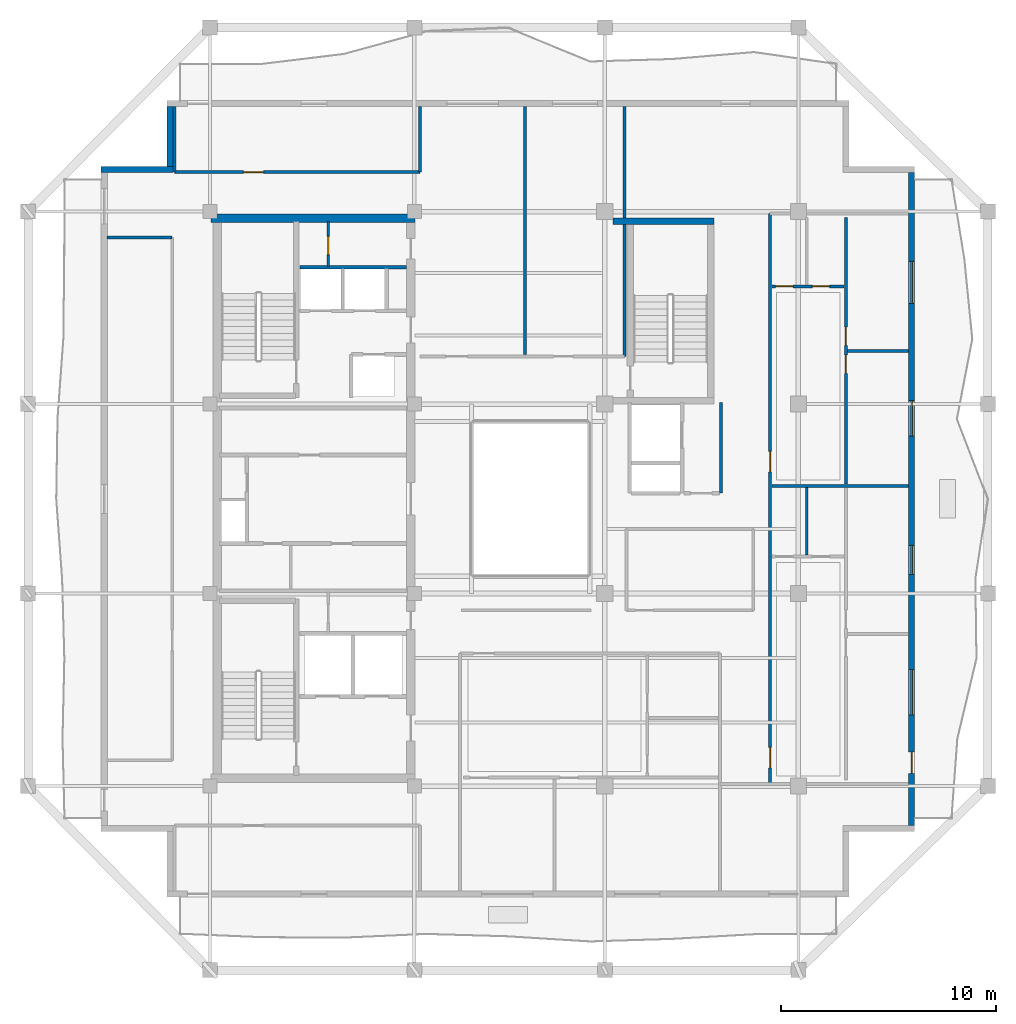
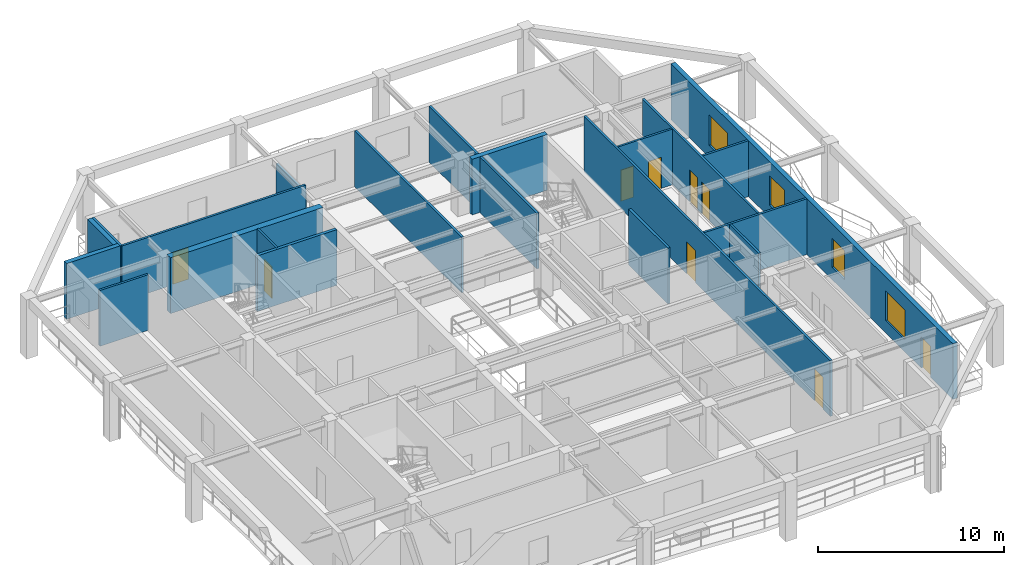
# One storey, part 5 of 10: 20 walls, 9 doors, 4 windows, 13 openings.
"""IFC4 building model written with IfcOpenShell, lengths in metres."""

from ifc_helpers import new_model, si_unit, direction, frame, frame_2d, origin, place, context, subcontext, project, spatial, rectangle, extrude, material, layer, layer_set, type_object, element, fill, save


model = new_model("IFC4")

# Units and contexts
model_context = context("Model", 3, precision=1e-05, world=origin(), true_north=direction((0.0, 1.0)))
body_context = subcontext(model_context, "Body", "Model", "MODEL_VIEW")
ifc_project = project(units=[si_unit("LENGTHUNIT", "METRE"), si_unit("AREAUNIT", "SQUARE_METRE"), si_unit("VOLUMEUNIT", "CUBIC_METRE"), si_unit("PLANEANGLEUNIT", "RADIAN"), si_unit("MASSUNIT", "GRAM", prefix="KILO")], contexts=[model_context])

# Site, building, storey
site_placement = place(None, origin())
site = spatial("IfcSite", under=ifc_project, at=site_placement, CompositionType="ELEMENT")
building_placement = place(site_placement, origin())
building = spatial("IfcBuilding", under=site, at=building_placement, Name="Kundavana Baori Tower", CompositionType="ELEMENT")
storey_placement = place(building_placement, frame((0.0, 0.0, 299.89990234375)))
storey = spatial("IfcBuildingStorey", under=building, at=storey_placement, Name="L74", CompositionType="ELEMENT", Elevation=299.89990234375)

# Wall
ifc_material_1 = material(Name="Concrete C50/60", Category="concrete")
ifc_layer_1 = layer(ifc_material_1, 0.39990234375, Name="WL-CORE-400")
ifc_layer_set_1 = layer_set([ifc_layer_1], Name="Concrete C50/60")
wall_type_1 = type_object("IfcWallType", Name="WL-CORE-400", PredefinedType="SHEAR", material=ifc_layer_set_1)
wall_1_placement = place(storey_placement, frame((15.5, 41.639892578125, 0.0), z_axis=(0.0, 0.0, 1.0), x_axis=(1.0, 0.0, 0.0)))
element("IfcWall", 1, at=wall_1_placement, inside=storey, type_object=wall_type_1, Name="L74 Offset Core North Shear Wall", PredefinedType="SHEAR", context=body_context, shape_type="SweptSolid", body=[
    extrude(rectangle(XDim=9.47998046875, YDim=0.39990234375, at=frame_2d((4.739990234375, 0.0))), origin(), (0.0, 0.0, 1.0), 3.66015625),
])

# Wall, openings, door, windows
ifc_material_2 = material(Name="Red-Buff Dholpur Sandstone Cladding on Concrete C40/50", Category="masonry")
ifc_layer_2 = layer(ifc_material_2, 0.280029296875, Name="WL-EXT-SAND-280")
ifc_layer_set_2 = layer_set([ifc_layer_2], Name="Red-Buff Dholpur Sandstone Cladding on Concrete C40/50")
wall_type_2 = type_object("IfcWallType", Name="WL-EXT-SAND-280", PredefinedType="STANDARD", material=ifc_layer_set_2)
wall_2_placement = place(storey_placement, frame((48.06005859375, 13.429931640625, 0.0), z_axis=(0.0, 0.0, 1.0), x_axis=(0.0, 1.0, 0.0)))
wall_2 = element("IfcWall", 2, at=wall_2_placement, inside=storey, type_object=wall_type_2, Name="L74 Exterior Insulated Facade Wall 04", PredefinedType="STANDARD", context=body_context, shape_type="SweptSolid", body=[
    extrude(rectangle(XDim=30.340087890625, YDim=0.280029296875, at=frame_2d((15.169921875, 0.0))), origin(), (0.0, 0.0, 1.0), 3.66015625),
])
opening_1_placement = place(wall_2_placement, frame((2.409912109375, 0.0, 0.0)))
opening_1 = element("IfcOpeningElement", 3, at=opening_1_placement, cuts=wall_2, Name="Opening BD-1", PredefinedType="OPENING", context=body_context, shape_type="SweptSolid", body=[
    extrude(rectangle(XDim=1.0, YDim=2.050048828125, at=frame_2d((0.5, 1.02490234375))), frame((0.0, 0.14990234375, 0.0), z_axis=(0.0, -1.0, 0.0), x_axis=(1.0, 0.0, 0.0)), (0.0, 0.0, 1.0), 0.300048828125),
])
opening_2_placement = place(wall_2_placement, frame((5.132080078125, 0.0, 0.800048828125)))
opening_2 = element("IfcOpeningElement", 4, at=opening_2_placement, cuts=wall_2, Name="Opening W-05", PredefinedType="OPENING", context=body_context, shape_type="SweptSolid", body=[
    extrude(rectangle(XDim=2.10009765625, YDim=1.949951171875, at=frame_2d((1.050048828125, 0.97509765625))), frame((0.0, 0.14990234375, 0.0), z_axis=(0.0, -1.0, 0.0), x_axis=(1.0, 0.0, 0.0)), (0.0, 0.0, 1.0), 0.300048828125),
])
opening_3_placement = place(wall_2_placement, frame((11.656982421875, 0.0, 0.800048828125)))
opening_3 = element("IfcOpeningElement", 5, at=opening_3_placement, cuts=wall_2, Name="Opening W-07", PredefinedType="OPENING", context=body_context, shape_type="SweptSolid", body=[
    extrude(rectangle(XDim=1.35009765625, YDim=1.89990234375, at=frame_2d((0.675048828125, 0.949951171875))), frame((0.0, 0.14990234375, 0.0), z_axis=(0.0, -1.0, 0.0), x_axis=(1.0, 0.0, 0.0)), (0.0, 0.0, 1.0), 0.300048828125),
])
opening_4_placement = place(wall_2_placement, frame((18.08203125, 0.0, 0.800048828125)))
opening_4 = element("IfcOpeningElement", 6, at=opening_4_placement, cuts=wall_2, Name="Opening W-08", PredefinedType="OPENING", context=body_context, shape_type="SweptSolid", body=[
    extrude(rectangle(XDim=1.64990234375, YDim=1.949951171875, at=frame_2d((0.824951171875, 0.97509765625))), frame((0.0, 0.14990234375, 0.0), z_axis=(0.0, -1.0, 0.0), x_axis=(1.0, 0.0, 0.0)), (0.0, 0.0, 1.0), 0.300048828125),
])
opening_5_placement = place(wall_2_placement, frame((24.257080078125, 0.0, 0.800048828125)))
opening_5 = element("IfcOpeningElement", 7, at=opening_5_placement, cuts=wall_2, Name="Opening W-09", PredefinedType="OPENING", context=body_context, shape_type="SweptSolid", body=[
    extrude(rectangle(XDim=1.949951171875, YDim=2.0, at=frame_2d((0.97509765625, 1.0))), frame((0.0, 0.14990234375, 0.0), z_axis=(0.0, -1.0, 0.0), x_axis=(1.0, 0.0, 0.0)), (0.0, 0.0, 1.0), 0.300048828125),
])
ifc_material_3 = material(Name="Architectural Patinated Bronze Metalwork")
door_type_1 = type_object("IfcDoorType", Name="DR-EXT-LOG-1000", OperationType="NOTDEFINED", PredefinedType="DOOR", material=ifc_material_3)
door_1_placement = place(opening_1_placement, frame((1.0, 0.0, 0.0), z_axis=(0.0, 0.0, 1.0), x_axis=(-1.0, 0.0, 0.0)))
door_1 = element("IfcDoor", 8, at=door_1_placement, inside=storey, type_object=door_type_1, Name="L74 Loggia Balcony Access Door E", OperationType="SINGLE_SWING_RIGHT", OverallHeight=2.050048828125, OverallWidth=1.0, PredefinedType="DOOR", context=body_context, shape_type="SweptSolid", body=[
    extrude(rectangle(XDim=1.0, YDim=2.050048828125, at=frame_2d((0.5, 1.02490234375))), frame((0.0, 0.02490234375, 0.0), z_axis=(0.0, -1.0, 0.0), x_axis=(1.0, 0.0, 0.0)), (0.0, 0.0, 1.0), 0.050048828125),
])
fill(opening_1, door_1)
ifc_material_4 = material(Name="Double-Glazed Solar-Control Low-E Insulated Glass", Category="glass")
window_type_1 = type_object("IfcWindowType", Name="WIN-LOG-1350x1900", PartitioningType="SINGLE_PANEL", PredefinedType="WINDOW", material=ifc_material_4)
window_1_placement = place(opening_3_placement, origin())
window_1 = element("IfcWindow", 9, at=window_1_placement, inside=storey, type_object=window_type_1, Name="L74 Recessed Loggia Window E-2", OverallHeight=1.89990234375, OverallWidth=1.35009765625, PartitioningType="SINGLE_PANEL", PredefinedType="WINDOW", context=body_context, shape_type="SweptSolid", body=[
    extrude(rectangle(XDim=1.35009765625, YDim=1.89990234375, at=frame_2d((0.675048828125, 0.949951171875))), frame((0.0, 0.030029296875, 0.0), z_axis=(0.0, -1.0, 0.0), x_axis=(1.0, 0.0, 0.0)), (0.0, 0.0, 1.0), 0.06005859375),
])
fill(opening_3, window_1)
ifc_material_5 = material(Name="Double-Glazed Solar-Control Low-E Insulated Glass", Category="glass")
window_type_2 = type_object("IfcWindowType", Name="WIN-LOG-1650x1950", PartitioningType="SINGLE_PANEL", PredefinedType="WINDOW", material=ifc_material_5)
window_2_placement = place(opening_4_placement, origin())
window_2 = element("IfcWindow", 10, at=window_2_placement, inside=storey, type_object=window_type_2, Name="L74 Recessed Loggia Window E-3", OverallHeight=1.949951171875, OverallWidth=1.64990234375, PartitioningType="SINGLE_PANEL", PredefinedType="WINDOW", context=body_context, shape_type="SweptSolid", body=[
    extrude(rectangle(XDim=1.64990234375, YDim=1.949951171875, at=frame_2d((0.824951171875, 0.97509765625))), frame((0.0, 0.030029296875, 0.0), z_axis=(0.0, -1.0, 0.0), x_axis=(1.0, 0.0, 0.0)), (0.0, 0.0, 1.0), 0.06005859375),
])
fill(opening_4, window_2)
ifc_material_6 = material(Name="Double-Glazed Solar-Control Low-E Insulated Glass", Category="glass")
window_type_3 = type_object("IfcWindowType", Name="WIN-LOG-1950x2000", PartitioningType="SINGLE_PANEL", PredefinedType="WINDOW", material=ifc_material_6)
window_3_placement = place(opening_5_placement, origin())
window_3 = element("IfcWindow", 11, at=window_3_placement, inside=storey, type_object=window_type_3, Name="L74 Recessed Loggia Window E-4", OverallHeight=2.0, OverallWidth=1.949951171875, PartitioningType="SINGLE_PANEL", PredefinedType="WINDOW", context=body_context, shape_type="SweptSolid", body=[
    extrude(rectangle(XDim=1.949951171875, YDim=2.0, at=frame_2d((0.97509765625, 1.0))), frame((0.0, 0.030029296875, 0.0), z_axis=(0.0, -1.0, 0.0), x_axis=(1.0, 0.0, 0.0)), (0.0, 0.0, 1.0), 0.06005859375),
])
fill(opening_5, window_3)
ifc_material_7 = material(Name="Double-Glazed Solar-Control Low-E Insulated Glass", Category="glass")
window_type_4 = type_object("IfcWindowType", Name="WIN-LOG-2100x1950", PartitioningType="SINGLE_PANEL", PredefinedType="WINDOW", material=ifc_material_7)
window_4_placement = place(opening_2_placement, origin())
window_4 = element("IfcWindow", 12, at=window_4_placement, inside=storey, type_object=window_type_4, Name="L74 Recessed Loggia Window E-1", OverallHeight=1.949951171875, OverallWidth=2.10009765625, PartitioningType="SINGLE_PANEL", PredefinedType="WINDOW", context=body_context, shape_type="SweptSolid", body=[
    extrude(rectangle(XDim=2.10009765625, YDim=1.949951171875, at=frame_2d((1.050048828125, 0.97509765625))), frame((0.0, 0.030029296875, 0.0), z_axis=(0.0, -1.0, 0.0), x_axis=(1.0, 0.0, 0.0)), (0.0, 0.0, 1.0), 0.06005859375),
])
fill(opening_2, window_4)

# Walls
wall_3_placement = place(storey_placement, frame((13.590087890625, 46.820068359375, 0.0), z_axis=(0.0, 0.0, 1.0), x_axis=(0.0, -1.0, 0.0)))
element("IfcWall", 13, at=wall_3_placement, inside=storey, type_object=wall_type_2, Name="L74 Exterior Insulated Facade Wall 08", PredefinedType="STANDARD", context=body_context, shape_type="SweptSolid", body=[
    extrude(rectangle(XDim=2.77001953125, YDim=0.280029296875, at=frame_2d((1.385009765625, 0.0))), origin(), (0.0, 0.0, 1.0), 3.66015625),
])
wall_4_placement = place(storey_placement, frame((13.72998046875, 43.909912109375, 0.0), z_axis=(0.0, 0.0, 1.0), x_axis=(-1.0, 0.0, 0.0)))
element("IfcWall", 14, at=wall_4_placement, inside=storey, type_object=wall_type_2, Name="L74 Exterior Insulated Facade Wall 09", PredefinedType="STANDARD", context=body_context, shape_type="SweptSolid", body=[
    extrude(rectangle(XDim=3.330078125, YDim=0.280029296875, at=frame_2d((1.6650390625, 0.0))), origin(), (0.0, 0.0, 1.0), 3.66015625),
])

# Wall, opening, door
ifc_material_8 = material(Name="Acoustic Gypsum Plasterboard on Galvanised Steel Studs", Category="steel")
ifc_layer_3 = layer(ifc_material_8, 0.1201171875, Name="WL-PART-120")
ifc_layer_set_3 = layer_set([ifc_layer_3], Name="Acoustic Gypsum Plasterboard on Galvanised Steel Studs")
wall_type_3 = type_object("IfcWallType", Name="WL-PART-120", PredefinedType="PARTITIONING", material=ifc_layer_set_3)
wall_5_placement = place(storey_placement, frame((20.949951171875, 39.39990234375, 0.0), z_axis=(0.0, 0.0, 1.0), x_axis=(0.0, 1.0, 0.0)))
wall_5 = element("IfcWall", 15, at=wall_5_placement, inside=storey, type_object=wall_type_3, Name="WL-L74-CSRV-D2", PredefinedType="PARTITIONING", context=body_context, shape_type="SweptSolid", body=[
    extrude(rectangle(XDim=2.080078125, YDim=0.1201171875, at=frame_2d((1.0400390625, 0.0))), origin(), (0.0, 0.0, 1.0), 3.66015625),
])
opening_6_placement = place(wall_5_placement, frame((0.550048828125, 0.0, 0.0)))
opening_6 = element("IfcOpeningElement", 16, at=opening_6_placement, cuts=wall_5, Name="Opening FD-085", PredefinedType="OPENING", context=body_context, shape_type="SweptSolid", body=[
    extrude(rectangle(XDim=0.85009765625, YDim=2.06005859375, at=frame_2d((0.425048828125, 1.030029296875))), frame((0.0, 0.070068359375, 0.0), z_axis=(0.0, -1.0, 0.0), x_axis=(1.0, 0.0, 0.0)), (0.0, 0.0, 1.0), 0.14013671875),
])
ifc_material_9 = material(Name="Galvanised Steel Fire-Rated Door Leaf", Category="steel")
door_type_2 = type_object("IfcDoorType", Name="DR-FD60-850", OperationType="NOTDEFINED", PredefinedType="DOOR", material=ifc_material_9)
door_2_placement = place(opening_6_placement, origin())
door_2 = element("IfcDoor", 17, at=door_2_placement, inside=storey, type_object=door_type_2, Name="DR-L74-CSRV1", OperationType="SINGLE_SWING_RIGHT", OverallHeight=2.06005859375, OverallWidth=0.85009765625, PredefinedType="DOOR", context=body_context, shape_type="SweptSolid", body=[
    extrude(rectangle(XDim=0.85009765625, YDim=2.06005859375, at=frame_2d((0.425048828125, 1.030029296875))), frame((0.0, 0.02490234375, 0.0), z_axis=(0.0, -1.0, 0.0), x_axis=(1.0, 0.0, 0.0)), (0.0, 0.0, 1.0), 0.050048828125),
])
fill(opening_6, door_2)

ifc_material_10 = material(Name="Acoustic Gypsum Plasterboard on Galvanised Steel Studs", Category="steel")
ifc_layer_4 = layer(ifc_material_10, 0.135009765625, Name="WL-PART-135")
ifc_layer_set_4 = layer_set([ifc_layer_4], Name="Acoustic Gypsum Plasterboard on Galvanised Steel Studs")
wall_type_4 = type_object("IfcWallType", Name="WL-PART-135", PredefinedType="PARTITIONING", material=ifc_layer_set_4)
wall_6_placement = place(storey_placement, frame((13.800048828125, 43.780029296875, 0.0), z_axis=(0.0, 0.0, 1.0), x_axis=(1.0, 0.0, 0.0)))
wall_6 = element("IfcWall", 18, at=wall_6_placement, inside=storey, type_object=wall_type_4, Name="WL-L74-RNC", PredefinedType="PARTITIONING", context=body_context, shape_type="SweptSolid", body=[
    extrude(rectangle(XDim=11.419921875, YDim=0.135009765625, at=frame_2d((5.7099609375, 0.0))), origin(), (0.0, 0.0, 1.0), 3.66015625),
])
opening_7_placement = place(wall_6_placement, frame((3.199951171875, 0.0, 0.0)))
opening_7 = element("IfcOpeningElement", 19, at=opening_7_placement, cuts=wall_6, Name="Opening ID-095", PredefinedType="OPENING", context=body_context, shape_type="SweptSolid", body=[
    extrude(rectangle(XDim=0.949951171875, YDim=2.080078125, at=frame_2d((0.47509765625, 1.0400390625))), frame((0.0, 0.07763671875, 0.0), z_axis=(0.0, -1.0, 0.0), x_axis=(1.0, 0.0, 0.0)), (0.0, 0.0, 1.0), 0.155029296875),
])
ifc_material_11 = material(Name="Engineered Teak Solid-Core Timber Veneer", Category="wood")
door_type_3 = type_object("IfcDoorType", Name="DR-INT-950", OperationType="NOTDEFINED", PredefinedType="DOOR", material=ifc_material_11)
door_3_placement = place(opening_7_placement, origin())
door_3 = element("IfcDoor", 20, at=door_3_placement, inside=storey, type_object=door_type_3, Name="DR-L74-RMNW", OperationType="SINGLE_SWING_RIGHT", OverallHeight=2.080078125, OverallWidth=0.949951171875, PredefinedType="DOOR", context=body_context, shape_type="SweptSolid", body=[
    extrude(rectangle(XDim=0.949951171875, YDim=2.080078125, at=frame_2d((0.47509765625, 1.0400390625))), frame((0.0, 0.02490234375, 0.0), z_axis=(0.0, -1.0, 0.0), x_axis=(1.0, 0.0, 0.0)), (0.0, 0.0, 1.0), 0.050048828125),
])
fill(opening_7, door_3)

# Walls
wall_7_placement = place(storey_placement, frame((13.800048828125, 43.780029296875, 0.0), z_axis=(0.0, 0.0, 1.0), x_axis=(0.0, 1.0, 0.0)))
element("IfcWall", 21, at=wall_7_placement, inside=storey, type_object=wall_type_4, Name="WL-L74-RNCW", PredefinedType="PARTITIONING", context=body_context, shape_type="SweptSolid", body=[
    extrude(rectangle(XDim=3.0400390625, YDim=0.135009765625, at=frame_2d((1.52001953125, 0.0))), origin(), (0.0, 0.0, 1.0), 3.66015625),
])
wall_8_placement = place(storey_placement, frame((25.219970703125, 43.780029296875, 0.0), z_axis=(0.0, 0.0, 1.0), x_axis=(0.0, 1.0, 0.0)))
element("IfcWall", 22, at=wall_8_placement, inside=storey, type_object=wall_type_4, Name="WL-L74-RNCE", PredefinedType="PARTITIONING", context=body_context, shape_type="SweptSolid", body=[
    extrude(rectangle(XDim=3.0400390625, YDim=0.135009765625, at=frame_2d((1.52001953125, 0.0))), origin(), (0.0, 0.0, 1.0), 3.210205078125),
])
wall_9_placement = place(storey_placement, frame((10.679931640625, 40.75, 0.0), z_axis=(0.0, 0.0, 1.0), x_axis=(1.0, 0.0, 0.0)))
element("IfcWall", 23, at=wall_9_placement, inside=storey, type_object=wall_type_4, Name="WL-L74-RWN", PredefinedType="PARTITIONING", context=body_context, shape_type="SweptSolid", body=[
    extrude(rectangle(XDim=3.02001953125, YDim=0.135009765625, at=frame_2d((1.510009765625, 0.0))), origin(), (0.0, 0.0, 1.0), 3.66015625),
])
wall_10_placement = place(storey_placement, frame((34.719970703125, 35.219970703125, 0.0), z_axis=(0.0, 0.0, 1.0), x_axis=(0.0, 1.0, 0.0)))
element("IfcWall", 24, at=wall_10_placement, inside=storey, type_object=wall_type_4, Name="WL-L74-RNEND", PredefinedType="PARTITIONING", context=body_context, shape_type="SweptSolid", body=[
    extrude(rectangle(XDim=11.60009765625, YDim=0.135009765625, at=frame_2d((5.800048828125, 0.0))), origin(), (0.0, 0.0, 1.0), 3.66015625),
])
wall_11_placement = place(storey_placement, frame((30.10009765625, 35.300048828125, 0.0), z_axis=(0.0, 0.0, 1.0), x_axis=(0.0, 1.0, 0.0)))
element("IfcWall", 25, at=wall_11_placement, inside=storey, type_object=wall_type_4, Name="WL-L74-RND1", PredefinedType="PARTITIONING", context=body_context, shape_type="SweptSolid", body=[
    extrude(rectangle(XDim=11.52001953125, YDim=0.135009765625, at=frame_2d((5.760009765625, 0.0))), origin(), (0.0, 0.0, 1.0), 3.66015625),
])

# Wall, openings, doors
wall_12_placement = place(storey_placement, frame((41.47998046875, 15.35009765625, 0.0), z_axis=(0.0, 0.0, 1.0), x_axis=(0.0, 1.0, 0.0)))
wall_12 = element("IfcWall", 26, at=wall_12_placement, inside=storey, type_object=wall_type_4, Name="WL-L74-RE", PredefinedType="PARTITIONING", context=body_context, shape_type="SweptSolid", body=[
    extrude(rectangle(XDim=26.5, YDim=0.135009765625, at=frame_2d((13.25, 0.0))), origin(), (0.0, 0.0, 1.0), 3.66015625),
])
opening_8_placement = place(wall_12_placement, frame((0.75, 0.0, 0.0)))
opening_8 = element("IfcOpeningElement", 27, at=opening_8_placement, cuts=wall_12, Name="Opening FD-095", PredefinedType="OPENING", context=body_context, shape_type="SweptSolid", body=[
    extrude(rectangle(XDim=0.949951171875, YDim=2.10009765625, at=frame_2d((0.47509765625, 1.050048828125))), frame((0.0, 0.07763671875, 0.0), z_axis=(0.0, -1.0, 0.0), x_axis=(1.0, 0.0, 0.0)), (0.0, 0.0, 1.0), 0.155029296875),
])
opening_9_placement = place(wall_12_placement, frame((14.5, 0.0, 0.0)))
opening_9 = element("IfcOpeningElement", 28, at=opening_9_placement, cuts=wall_12, Name="Opening FD-095", PredefinedType="OPENING", context=body_context, shape_type="SweptSolid", body=[
    extrude(rectangle(XDim=0.949951171875, YDim=2.10009765625, at=frame_2d((0.47509765625, 1.050048828125))), frame((0.0, 0.07763671875, 0.0), z_axis=(0.0, -1.0, 0.0), x_axis=(1.0, 0.0, 0.0)), (0.0, 0.0, 1.0), 0.155029296875),
])
ifc_material_12 = material(Name="Engineered Teak Fire-Rated Timber Door Leaf", Category="wood")
door_type_4 = type_object("IfcDoorType", Name="DR-FD60-950", OperationType="NOTDEFINED", PredefinedType="DOOR", material=ifc_material_12)
door_4_placement = place(opening_8_placement, origin())
door_4 = element("IfcDoor", 29, at=door_4_placement, inside=storey, type_object=door_type_4, Name="DR-L74-E1-ENT", OperationType="SINGLE_SWING_LEFT", OverallHeight=2.10009765625, OverallWidth=0.949951171875, PredefinedType="DOOR", context=body_context, shape_type="SweptSolid", body=[
    extrude(rectangle(XDim=0.949951171875, YDim=2.10009765625, at=frame_2d((0.47509765625, 1.050048828125))), frame((0.0, 0.02490234375, 0.0), z_axis=(0.0, -1.0, 0.0), x_axis=(1.0, 0.0, 0.0)), (0.0, 0.0, 1.0), 0.050048828125),
])
fill(opening_8, door_4)
door_5_placement = place(opening_9_placement, origin())
door_5 = element("IfcDoor", 30, at=door_5_placement, inside=storey, type_object=door_type_4, Name="DR-L74-E2-ENT", OperationType="SINGLE_SWING_LEFT", OverallHeight=2.10009765625, OverallWidth=0.949951171875, PredefinedType="DOOR", context=body_context, shape_type="SweptSolid", body=[
    extrude(rectangle(XDim=0.949951171875, YDim=2.10009765625, at=frame_2d((0.47509765625, 1.050048828125))), frame((0.0, 0.02490234375, 0.0), z_axis=(0.0, -1.0, 0.0), x_axis=(1.0, 0.0, 0.0)), (0.0, 0.0, 1.0), 0.050048828125),
])
fill(opening_9, door_5)

# Wall
wall_13_placement = place(storey_placement, frame((41.56005859375, 29.199951171875, 0.0), z_axis=(0.0, 0.0, 1.0), x_axis=(1.0, 0.0, 0.0)))
element("IfcWall", 31, at=wall_13_placement, inside=storey, type_object=wall_type_4, Name="WL-L74-RED1", PredefinedType="PARTITIONING", context=body_context, shape_type="SweptSolid", body=[
    extrude(rectangle(XDim=6.35986328125, YDim=0.135009765625, at=frame_2d((3.179931640625, 0.0))), origin(), (0.0, 0.0, 1.0), 3.66015625),
])

# Wall, openings, doors
wall_14_placement = place(storey_placement, frame((45.00390625, 29.280029296875, 0.0), z_axis=(0.0, 0.0, 1.0), x_axis=(0.0, 1.0, 0.0)))
wall_14 = element("IfcWall", 32, at=wall_14_placement, inside=storey, type_object=wall_type_4, Name="WL-L74-E2-VT", PredefinedType="PARTITIONING", context=body_context, shape_type="SweptSolid", body=[
    extrude(rectangle(XDim=12.389892578125, YDim=0.135009765625, at=frame_2d((6.19482421875, 0.0))), origin(), (0.0, 0.0, 1.0), 3.66015625),
])
opening_10_placement = place(wall_14_placement, frame((5.14501953125, 0.0, 0.0)))
opening_10 = element("IfcOpeningElement", 33, at=opening_10_placement, cuts=wall_14, Name="Opening ID-085", PredefinedType="OPENING", context=body_context, shape_type="SweptSolid", body=[
    extrude(rectangle(XDim=0.85009765625, YDim=2.080078125, at=frame_2d((0.425048828125, 1.0400390625))), frame((0.0, 0.07763671875, 0.0), z_axis=(0.0, -1.0, 0.0), x_axis=(1.0, 0.0, 0.0)), (0.0, 0.0, 1.0), 0.155029296875),
])
opening_11_placement = place(wall_14_placement, frame((6.445068359375, 0.0, 0.0)))
opening_11 = element("IfcOpeningElement", 34, at=opening_11_placement, cuts=wall_14, Name="Opening ID-085", PredefinedType="OPENING", context=body_context, shape_type="SweptSolid", body=[
    extrude(rectangle(XDim=0.85009765625, YDim=2.080078125, at=frame_2d((0.425048828125, 1.0400390625))), frame((0.0, 0.07763671875, 0.0), z_axis=(0.0, -1.0, 0.0), x_axis=(1.0, 0.0, 0.0)), (0.0, 0.0, 1.0), 0.155029296875),
])
ifc_material_13 = material(Name="Engineered Teak Solid-Core Timber Veneer", Category="wood")
door_type_5 = type_object("IfcDoorType", Name="DR-INT-850", OperationType="NOTDEFINED", PredefinedType="DOOR", material=ifc_material_13)
door_6_placement = place(opening_10_placement, origin())
door_6 = element("IfcDoor", 35, at=door_6_placement, inside=storey, type_object=door_type_5, Name="DR-L74-E2-B1", OperationType="SINGLE_SWING_LEFT", OverallHeight=2.080078125, OverallWidth=0.85009765625, PredefinedType="DOOR", context=body_context, shape_type="SweptSolid", body=[
    extrude(rectangle(XDim=0.85009765625, YDim=2.080078125, at=frame_2d((0.425048828125, 1.0400390625))), frame((0.0, 0.02490234375, 0.0), z_axis=(0.0, -1.0, 0.0), x_axis=(1.0, 0.0, 0.0)), (0.0, 0.0, 1.0), 0.050048828125),
])
fill(opening_10, door_6)
door_7_placement = place(opening_11_placement, origin())
door_7 = element("IfcDoor", 36, at=door_7_placement, inside=storey, type_object=door_type_5, Name="DR-L74-E2-B2", OperationType="SINGLE_SWING_RIGHT", OverallHeight=2.080078125, OverallWidth=0.85009765625, PredefinedType="DOOR", context=body_context, shape_type="SweptSolid", body=[
    extrude(rectangle(XDim=0.85009765625, YDim=2.080078125, at=frame_2d((0.425048828125, 1.0400390625))), frame((0.0, 0.02490234375, 0.0), z_axis=(0.0, -1.0, 0.0), x_axis=(1.0, 0.0, 0.0)), (0.0, 0.0, 1.0), 0.050048828125),
])
fill(opening_11, door_7)

# Walls
wall_15_placement = place(storey_placement, frame((45.083984375, 35.47509765625, 0.0), z_axis=(0.0, 0.0, 1.0), x_axis=(1.0, 0.0, 0.0)))
element("IfcWall", 37, at=wall_15_placement, inside=storey, type_object=wall_type_4, Name="WL-L74-E2-BDH", PredefinedType="PARTITIONING", context=body_context, shape_type="SweptSolid", body=[
    extrude(rectangle(XDim=2.8359375, YDim=0.135009765625, at=frame_2d((1.41796875, 0.0))), origin(), (0.0, 0.0, 1.0), 3.66015625),
])
ifc_material_14 = material(Name="Fire-Rated Gypsum Drywall on Galvanised Steel Studs", Category="steel")
ifc_layer_5 = layer(ifc_material_14, 0.14990234375, Name="WL-PART-150")
ifc_layer_set_5 = layer_set([ifc_layer_5], Name="Fire-Rated Gypsum Drywall on Galvanised Steel Studs")
wall_type_5 = type_object("IfcWallType", Name="WL-PART-150", PredefinedType="PARTITIONING", material=ifc_layer_set_5)
wall_16_placement = place(storey_placement, frame((39.199951171875, 28.860107421875, 0.0), z_axis=(0.0, 0.0, 1.0), x_axis=(0.0, 1.0, 0.0)))
element("IfcWall", 38, at=wall_16_placement, inside=storey, type_object=wall_type_5, Name="WL-L74-SVLOB-E", PredefinedType="PARTITIONING", context=body_context, shape_type="SweptSolid", body=[
    extrude(rectangle(XDim=4.219970703125, YDim=0.14990234375, at=frame_2d((2.10986328125, 0.0))), origin(), (0.0, 0.0, 1.0), 3.66015625),
])
ifc_material_15 = material(Name="Autoclaved Aerated Concrete Blockwork Masonry", Category="masonry")
ifc_layer_6 = layer(ifc_material_15, 0.179931640625, Name="WL-SHAFT-180")
ifc_layer_set_6 = layer_set([ifc_layer_6], Name="Autoclaved Aerated Concrete Blockwork Masonry")
wall_type_6 = type_object("IfcWallType", Name="WL-SHAFT-180", PredefinedType="SOLIDWALL", material=ifc_layer_set_6)
wall_17_placement = place(storey_placement, frame((19.639892578125, 39.360107421875, 0.0), z_axis=(0.0, 0.0, 1.0), x_axis=(1.0, 0.0, 0.0)))
element("IfcWall", 39, at=wall_17_placement, inside=storey, type_object=wall_type_6, Name="WL-L74-HRLOB-TOP", PredefinedType="SOLIDWALL", context=body_context, shape_type="SweptSolid", body=[
    extrude(rectangle(XDim=4.940185546875, YDim=0.179931640625, at=frame_2d((2.47021484375, 0.0))), origin(), (0.0, 0.0, 1.0), 3.66015625),
])
ifc_material_16 = material(Name="Concrete C50/60", Category="concrete")
ifc_layer_7 = layer(ifc_material_16, 0.300048828125, Name="WL-ST3-300")
ifc_layer_set_7 = layer_set([ifc_layer_7], Name="Concrete C50/60")
wall_type_7 = type_object("IfcWallType", Name="WL-ST3-300", PredefinedType="SHEAR", material=ifc_layer_set_7)
wall_18_placement = place(storey_placement, frame((34.175048828125, 41.489990234375, 0.0), z_axis=(0.0, 0.0, 1.0), x_axis=(1.0, 0.0, 0.0)))
element("IfcWall", 40, at=wall_18_placement, inside=storey, type_object=wall_type_7, Name="L74 Stair ST3 North Shear Wall", PredefinedType="SHEAR", context=body_context, shape_type="SweptSolid", body=[
    extrude(rectangle(XDim=4.695068359375, YDim=0.300048828125, at=frame_2d((2.34765625, 0.0))), origin(), (0.0, 0.0, 1.0), 3.66015625),
])
ifc_material_17 = material(Name="Autoclaved Aerated Concrete Blockwork Masonry", Category="masonry")
ifc_layer_8 = layer(ifc_material_17, 0.125, Name="WL-WET-120")
ifc_layer_set_8 = layer_set([ifc_layer_8], Name="Autoclaved Aerated Concrete Blockwork Masonry")
wall_type_8 = type_object("IfcWallType", Name="WL-WET-120", PredefinedType="PLUMBINGWALL", material=ifc_layer_set_8)
wall_19_placement = place(storey_placement, frame((43.18505859375, 26.0, 0.0), z_axis=(0.0, 0.0, 1.0), x_axis=(0.0, 1.0, 0.0)))
element("IfcWall", 41, at=wall_19_placement, inside=storey, type_object=wall_type_8, Name="WL-L74-E1-BV", PredefinedType="PLUMBINGWALL", context=body_context, shape_type="SweptSolid", body=[
    extrude(rectangle(XDim=3.1201171875, YDim=0.125, at=frame_2d((1.56005859375, 0.0))), origin(), (0.0, 0.0, 1.0), 3.66015625),
])

# Wall, openings, doors
wall_20_placement = place(storey_placement, frame((41.580078125, 38.469970703125, 0.0), z_axis=(0.0, 0.0, 1.0), x_axis=(1.0, 0.0, 0.0)))
wall_20 = element("IfcWall", 42, at=wall_20_placement, inside=storey, type_object=wall_type_8, Name="WL-L74-E2-KH", PredefinedType="PLUMBINGWALL", context=body_context, shape_type="SweptSolid", body=[
    extrude(rectangle(XDim=3.343994140625, YDim=0.125, at=frame_2d((1.671875, 0.0))), origin(), (0.0, 0.0, 1.0), 3.66015625),
])
opening_12_placement = place(wall_20_placement, frame((0.159912109375, 0.0, 0.0)))
opening_12 = element("IfcOpeningElement", 43, at=opening_12_placement, cuts=wall_20, Name="Opening WD-080", PredefinedType="OPENING", context=body_context, shape_type="SweptSolid", body=[
    extrude(rectangle(XDim=0.800048828125, YDim=2.050048828125, at=frame_2d((0.39990234375, 1.02490234375))), frame((0.0, 0.072509765625, 0.0), z_axis=(0.0, -1.0, 0.0), x_axis=(1.0, 0.0, 0.0)), (0.0, 0.0, 1.0), 0.14501953125),
])
opening_13_placement = place(wall_20_placement, frame((1.864990234375, 0.0, 0.0)))
opening_13 = element("IfcOpeningElement", 44, at=opening_13_placement, cuts=wall_20, Name="Opening WD-080", PredefinedType="OPENING", context=body_context, shape_type="SweptSolid", body=[
    extrude(rectangle(XDim=0.800048828125, YDim=2.050048828125, at=frame_2d((0.39990234375, 1.02490234375))), frame((0.0, 0.072509765625, 0.0), z_axis=(0.0, -1.0, 0.0), x_axis=(1.0, 0.0, 0.0)), (0.0, 0.0, 1.0), 0.14501953125),
])
ifc_material_18 = material(Name="Engineered Teak Solid-Core Timber Veneer", Category="wood")
door_type_6 = type_object("IfcDoorType", Name="DR-WET-800", OperationType="NOTDEFINED", PredefinedType="DOOR", material=ifc_material_18)
door_8_placement = place(opening_12_placement, origin())
door_8 = element("IfcDoor", 45, at=door_8_placement, inside=storey, type_object=door_type_6, Name="DR-L74-E2-BT", OperationType="SINGLE_SWING_LEFT", OverallHeight=2.050048828125, OverallWidth=0.800048828125, PredefinedType="DOOR", context=body_context, shape_type="SweptSolid", body=[
    extrude(rectangle(XDim=0.800048828125, YDim=2.050048828125, at=frame_2d((0.39990234375, 1.02490234375))), frame((0.0, 0.02490234375, 0.0), z_axis=(0.0, -1.0, 0.0), x_axis=(1.0, 0.0, 0.0)), (0.0, 0.0, 1.0), 0.050048828125),
])
fill(opening_12, door_8)
door_9_placement = place(opening_13_placement, origin())
door_9 = element("IfcDoor", 46, at=door_9_placement, inside=storey, type_object=door_type_6, Name="DR-L74-E2-KT", OperationType="SINGLE_SWING_RIGHT", OverallHeight=2.050048828125, OverallWidth=0.800048828125, PredefinedType="DOOR", context=body_context, shape_type="SweptSolid", body=[
    extrude(rectangle(XDim=0.800048828125, YDim=2.050048828125, at=frame_2d((0.39990234375, 1.02490234375))), frame((0.0, 0.02490234375, 0.0), z_axis=(0.0, -1.0, 0.0), x_axis=(1.0, 0.0, 0.0)), (0.0, 0.0, 1.0), 0.050048828125),
])
fill(opening_13, door_9)

save(model, "model.ifc")
